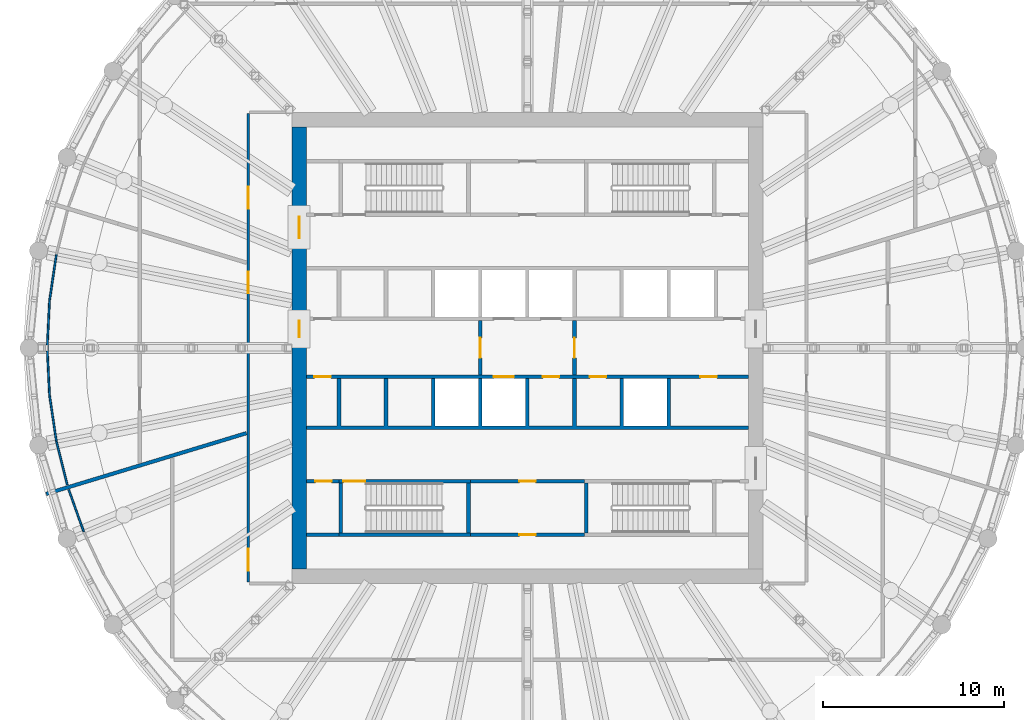
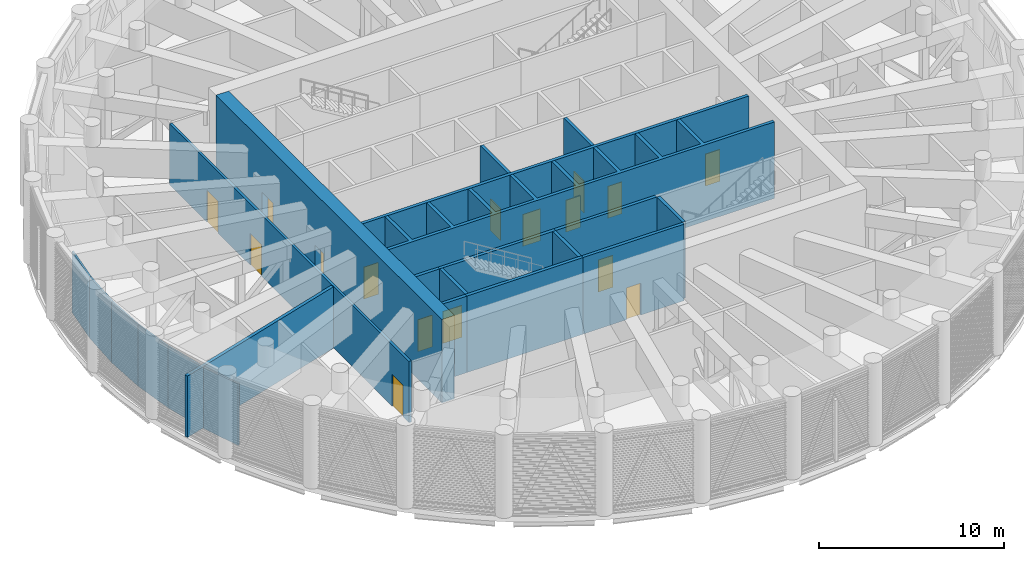
# One storey, part 9 of 24: 22 walls, 16 doors, 16 openings.
"""IFC4 building model written with IfcOpenShell, lengths in metres."""

from ifc_helpers import new_model, si_unit, direction, frame, frame_2d, origin, place, context, subcontext, project, spatial, polyline, rectangle, outline, extrude, material, layer, layer_set, type_object, element, fill, save


model = new_model("IFC4")

# Units and contexts
model_context = context("Model", 3, precision=1e-05, world=origin(), true_north=direction((0.0, 1.0)))
body_context = subcontext(model_context, "Body", "Model", "MODEL_VIEW")
ifc_project = project(units=[si_unit("LENGTHUNIT", "METRE"), si_unit("AREAUNIT", "SQUARE_METRE"), si_unit("VOLUMEUNIT", "CUBIC_METRE"), si_unit("PLANEANGLEUNIT", "RADIAN"), si_unit("MASSUNIT", "GRAM", prefix="KILO")], contexts=[model_context])

# Site, building, storey
site_placement = place(None, origin())
site = spatial("IfcSite", under=ifc_project, at=site_placement, CompositionType="ELEMENT")
building_placement = place(site_placement, origin())
building = spatial("IfcBuilding", under=site, at=building_placement, Name="Corvane Civic Tower", CompositionType="ELEMENT")
storey_placement = place(building_placement, frame((0.0, 0.0, 257.5)))
storey = spatial("IfcBuildingStorey", under=building, at=storey_placement, Name="L61", CompositionType="ELEMENT", Elevation=257.5)

# Wall, openings, doors
ifc_material_1 = material(Name="Concrete C50/60", Category="concrete")
ifc_layer_1 = layer(ifc_material_1, 0.800048828125)
ifc_layer_set_1 = layer_set([ifc_layer_1], Name="Concrete C50/60")
wall_type_1 = type_object("IfcWallType", Name="CORE WALL 800 C50/60", PredefinedType="SHEAR", material=ifc_layer_set_1)
wall_1_placement = place(storey_placement, frame((-12.60009765625, -12.199951171875, 0.0), z_axis=(0.0, 0.0, 1.0), x_axis=(0.0, 1.0, 0.0)))
wall_1 = element("IfcWall", 1, at=wall_1_placement, inside=storey, type_object=wall_type_1, Name="W-L61-core-W", PredefinedType="SHEAR", context=body_context, shape_type="SweptSolid", body=[
    extrude(rectangle(XDim=24.39990234375, YDim=0.800048828125, at=frame_2d((12.199951171875, 0.0))), origin(), (0.0, 0.0, 1.0), 5.5),
])
opening_1_placement = place(wall_1_placement, frame((12.800048828125, 0.0, 0.0)))
opening_1 = element("IfcOpeningElement", 2, at=opening_1_placement, cuts=wall_1, Name="Opening L61.C21", PredefinedType="OPENING", context=body_context, shape_type="SweptSolid", body=[
    extrude(rectangle(XDim=0.89990234375, YDim=2.10009765625, at=frame_2d((0.449951171875, 1.050048828125))), frame((0.0, 0.409912109375, 0.0), z_axis=(0.0, -1.0, 0.0), x_axis=(1.0, 0.0, 0.0)), (0.0, 0.0, 1.0), 0.820068359375),
])
opening_2_placement = place(wall_1_placement, frame((18.25, 0.0, 0.0)))
opening_2 = element("IfcOpeningElement", 3, at=opening_2_placement, cuts=wall_1, Name="Opening L61.C23", PredefinedType="OPENING", context=body_context, shape_type="SweptSolid", body=[
    extrude(rectangle(XDim=1.199951171875, YDim=2.10009765625, at=frame_2d((0.60009765625, 1.050048828125))), frame((0.0, 0.409912109375, 0.0), z_axis=(0.0, -1.0, 0.0), x_axis=(1.0, 0.0, 0.0)), (0.0, 0.0, 1.0), 0.820068359375),
])
ifc_material_2 = material(Name="Steel fire door leaf", Category="steel")
door_type_1 = type_object("IfcDoorType", Name="CR-DOOR-900", OperationType="SINGLE_SWING_LEFT", PredefinedType="DOOR", material=ifc_material_2)
door_1_placement = place(opening_1_placement, origin())
door_1 = element("IfcDoor", 4, at=door_1_placement, inside=storey, type_object=door_type_1, Name="L61 door", OperationType="SINGLE_SWING_LEFT", OverallHeight=2.10009765625, OverallWidth=0.89990234375, PredefinedType="DOOR", context=body_context, shape_type="SweptSolid", body=[
    extrude(rectangle(XDim=0.89990234375, YDim=2.10009765625, at=frame_2d((0.449951171875, 1.050048828125))), frame((0.0, 0.02490234375, 0.0), z_axis=(0.0, -1.0, 0.0), x_axis=(1.0, 0.0, 0.0)), (0.0, 0.0, 1.0), 0.050048828125),
])
fill(opening_1, door_1)
ifc_material_3 = material(Name="Steel fire door leaf", Category="steel")
door_type_2 = type_object("IfcDoorType", Name="CR-DOOR-CORE-1800", OperationType="DOUBLE_DOOR_SINGLE_SWING", PredefinedType="DOOR", material=ifc_material_3)
door_2_placement = place(opening_2_placement, origin())
door_2 = element("IfcDoor", 5, at=door_2_placement, inside=storey, type_object=door_type_2, Name="L61 door", OperationType="DOUBLE_DOOR_SINGLE_SWING", OverallHeight=2.10009765625, OverallWidth=1.199951171875, PredefinedType="DOOR", context=body_context, shape_type="SweptSolid", body=[
    extrude(rectangle(XDim=1.199951171875, YDim=2.10009765625, at=frame_2d((0.60009765625, 1.050048828125))), frame((0.0, 0.02490234375, 0.0), z_axis=(0.0, -1.0, 0.0), x_axis=(1.0, 0.0, 0.0)), (0.0, 0.0, 1.0), 0.050048828125),
])
fill(opening_2, door_2)

# Wall, opening, door
ifc_material_4 = material(Name="Concrete C30/37", Category="concrete")
ifc_layer_2 = layer(ifc_material_4, 0.199951171875)
ifc_layer_set_2 = layer_set([ifc_layer_2], Name="Concrete C30/37")
wall_type_2 = type_object("IfcWallType", Name="CR-WALL-200", PredefinedType="PARTITIONING", material=ifc_layer_set_2)
wall_2_placement = place(storey_placement, frame((-3.14990234375, -10.300048828125, 0.0), z_axis=(0.0, 0.0, 1.0), x_axis=(1.0, 0.0, 0.0)))
wall_2 = element("IfcWall", 6, at=wall_2_placement, inside=storey, type_object=wall_type_2, Name="L61 partition wall", PredefinedType="PARTITIONING", context=body_context, shape_type="SweptSolid", body=[
    extrude(rectangle(XDim=6.2998046875, YDim=0.199951171875, at=frame_2d((3.14990234375, 0.0))), origin(), (0.0, 0.0, 1.0), 5.050048828125),
])
opening_3_placement = place(wall_2_placement, frame((2.699951171875, 0.0, 0.0)))
opening_3 = element("IfcOpeningElement", 7, at=opening_3_placement, cuts=wall_2, Name="Opening L61.C10", PredefinedType="OPENING", context=body_context, shape_type="SweptSolid", body=[
    extrude(rectangle(XDim=0.89990234375, YDim=2.10009765625, at=frame_2d((0.449951171875, 1.050048828125))), frame((0.0, 0.10986328125, 0.0), z_axis=(0.0, -1.0, 0.0), x_axis=(1.0, 0.0, 0.0)), (0.0, 0.0, 1.0), 0.219970703125),
])
door_3_placement = place(opening_3_placement, origin())
door_3 = element("IfcDoor", 8, at=door_3_placement, inside=storey, type_object=door_type_1, Name="L61 door", OperationType="SINGLE_SWING_LEFT", OverallHeight=2.10009765625, OverallWidth=0.89990234375, PredefinedType="DOOR", context=body_context, shape_type="SweptSolid", body=[
    extrude(rectangle(XDim=0.89990234375, YDim=2.10009765625, at=frame_2d((0.449951171875, 1.050048828125))), frame((0.0, 0.02490234375, 0.0), z_axis=(0.0, -1.0, 0.0), x_axis=(1.0, 0.0, 0.0)), (0.0, 0.0, 1.0), 0.050048828125),
])
fill(opening_3, door_3)

wall_3_placement = place(storey_placement, frame((-12.199951171875, -7.35009765625, 0.0), z_axis=(0.0, 0.0, 1.0), x_axis=(1.0, 0.0, 0.0)))
wall_3 = element("IfcWall", 9, at=wall_3_placement, inside=storey, type_object=wall_type_2, Name="L61 core partition wall", PredefinedType="PARTITIONING", context=body_context, shape_type="SweptSolid", body=[
    extrude(rectangle(XDim=1.800048828125, YDim=0.199951171875, at=frame_2d((0.89990234375, 0.0))), origin(), (0.0, 0.0, 1.0), 5.050048828125),
])
opening_4_placement = place(wall_3_placement, frame((0.5, 0.0, 0.0)))
opening_4 = element("IfcOpeningElement", 10, at=opening_4_placement, cuts=wall_3, Name="Opening L61.C12", PredefinedType="OPENING", context=body_context, shape_type="SweptSolid", body=[
    extrude(rectangle(XDim=0.89990234375, YDim=2.10009765625, at=frame_2d((0.449951171875, 1.050048828125))), frame((0.0, 0.10986328125, 0.0), z_axis=(0.0, -1.0, 0.0), x_axis=(1.0, 0.0, 0.0)), (0.0, 0.0, 1.0), 0.219970703125),
])
door_4_placement = place(opening_4_placement, origin())
door_4 = element("IfcDoor", 11, at=door_4_placement, inside=storey, type_object=door_type_1, Name="L61 door", OperationType="SINGLE_SWING_LEFT", OverallHeight=2.10009765625, OverallWidth=0.89990234375, PredefinedType="DOOR", context=body_context, shape_type="SweptSolid", body=[
    extrude(rectangle(XDim=0.89990234375, YDim=2.10009765625, at=frame_2d((0.449951171875, 1.050048828125))), frame((0.0, 0.02490234375, 0.0), z_axis=(0.0, -1.0, 0.0), x_axis=(1.0, 0.0, 0.0)), (0.0, 0.0, 1.0), 0.050048828125),
])
fill(opening_4, door_4)

wall_4_placement = place(storey_placement, frame((-3.14990234375, -7.35009765625, 0.0), z_axis=(0.0, 0.0, 1.0), x_axis=(1.0, 0.0, 0.0)))
wall_4 = element("IfcWall", 12, at=wall_4_placement, inside=storey, type_object=wall_type_2, Name="L61 core partition wall", PredefinedType="PARTITIONING", context=body_context, shape_type="SweptSolid", body=[
    extrude(rectangle(XDim=6.2998046875, YDim=0.199951171875, at=frame_2d((3.14990234375, 0.0))), origin(), (0.0, 0.0, 1.0), 5.050048828125),
])
opening_5_placement = place(wall_4_placement, frame((2.699951171875, 0.0, 0.0)))
opening_5 = element("IfcOpeningElement", 13, at=opening_5_placement, cuts=wall_4, Name="Opening L61.C08", PredefinedType="OPENING", context=body_context, shape_type="SweptSolid", body=[
    extrude(rectangle(XDim=0.89990234375, YDim=2.10009765625, at=frame_2d((0.449951171875, 1.050048828125))), frame((0.0, 0.10986328125, 0.0), z_axis=(0.0, -1.0, 0.0), x_axis=(1.0, 0.0, 0.0)), (0.0, 0.0, 1.0), 0.219970703125),
])
door_5_placement = place(opening_5_placement, origin())
door_5 = element("IfcDoor", 14, at=door_5_placement, inside=storey, type_object=door_type_1, Name="L61 door", OperationType="SINGLE_SWING_LEFT", OverallHeight=2.10009765625, OverallWidth=0.89990234375, PredefinedType="DOOR", context=body_context, shape_type="SweptSolid", body=[
    extrude(rectangle(XDim=0.89990234375, YDim=2.10009765625, at=frame_2d((0.449951171875, 1.050048828125))), frame((0.0, 0.02490234375, 0.0), z_axis=(0.0, -1.0, 0.0), x_axis=(1.0, 0.0, 0.0)), (0.0, 0.0, 1.0), 0.050048828125),
])
fill(opening_5, door_5)

# Wall, openings, doors
wall_5_placement = place(storey_placement, frame((-12.199951171875, -1.60009765625, 0.0), z_axis=(0.0, 0.0, 1.0), x_axis=(1.0, 0.0, 0.0)))
wall_5 = element("IfcWall", 15, at=wall_5_placement, inside=storey, type_object=wall_type_2, Name="L61 lift shaft wall", PredefinedType="PARTITIONING", context=body_context, shape_type="SweptSolid", body=[
    extrude(rectangle(XDim=24.39990234375, YDim=0.199951171875, at=frame_2d((12.199951171875, 0.0))), origin(), (0.0, 0.0, 1.0), 5.050048828125),
])
opening_6_placement = place(wall_5_placement, frame((10.35009765625, 0.0, 0.0)))
opening_6 = element("IfcOpeningElement", 16, at=opening_6_placement, cuts=wall_5, Name="Opening LD", PredefinedType="OPENING", context=body_context, shape_type="SweptSolid", body=[
    extrude(rectangle(XDim=1.10009765625, YDim=2.10009765625, at=frame_2d((0.550048828125, 1.050048828125))), frame((0.0, 0.10986328125, 0.0), z_axis=(0.0, -1.0, 0.0), x_axis=(1.0, 0.0, 0.0)), (0.0, 0.0, 1.0), 0.219970703125),
])
opening_7_placement = place(wall_5_placement, frame((13.050048828125, 0.0, 0.0)))
opening_7 = element("IfcOpeningElement", 17, at=opening_7_placement, cuts=wall_5, Name="Opening L61.C03", PredefinedType="OPENING", context=body_context, shape_type="SweptSolid", body=[
    extrude(rectangle(XDim=0.89990234375, YDim=2.10009765625, at=frame_2d((0.449951171875, 1.050048828125))), frame((0.0, 0.10986328125, 0.0), z_axis=(0.0, -1.0, 0.0), x_axis=(1.0, 0.0, 0.0)), (0.0, 0.0, 1.0), 0.219970703125),
])
opening_8_placement = place(wall_5_placement, frame((0.449951171875, 0.0, 0.0)))
opening_8 = element("IfcOpeningElement", 18, at=opening_8_placement, cuts=wall_5, Name="Opening L61.C04", PredefinedType="OPENING", context=body_context, shape_type="SweptSolid", body=[
    extrude(rectangle(XDim=0.89990234375, YDim=2.10009765625, at=frame_2d((0.449951171875, 1.050048828125))), frame((0.0, 0.10986328125, 0.0), z_axis=(0.0, -1.0, 0.0), x_axis=(1.0, 0.0, 0.0)), (0.0, 0.0, 1.0), 0.219970703125),
])
opening_9_placement = place(wall_5_placement, frame((15.64990234375, 0.0, 0.0)))
opening_9 = element("IfcOpeningElement", 19, at=opening_9_placement, cuts=wall_5, Name="Opening L61.C05", PredefinedType="OPENING", context=body_context, shape_type="SweptSolid", body=[
    extrude(rectangle(XDim=0.89990234375, YDim=2.10009765625, at=frame_2d((0.449951171875, 1.050048828125))), frame((0.0, 0.10986328125, 0.0), z_axis=(0.0, -1.0, 0.0), x_axis=(1.0, 0.0, 0.0)), (0.0, 0.0, 1.0), 0.219970703125),
])
opening_10_placement = place(wall_5_placement, frame((21.75, 0.0, 0.0)))
opening_10 = element("IfcOpeningElement", 20, at=opening_10_placement, cuts=wall_5, Name="Opening L61.C06", PredefinedType="OPENING", context=body_context, shape_type="SweptSolid", body=[
    extrude(rectangle(XDim=0.89990234375, YDim=2.10009765625, at=frame_2d((0.449951171875, 1.050048828125))), frame((0.0, 0.10986328125, 0.0), z_axis=(0.0, -1.0, 0.0), x_axis=(1.0, 0.0, 0.0)), (0.0, 0.0, 1.0), 0.219970703125),
])
door_6_placement = place(opening_7_placement, origin())
door_6 = element("IfcDoor", 21, at=door_6_placement, inside=storey, type_object=door_type_1, Name="L61 door", OperationType="SINGLE_SWING_LEFT", OverallHeight=2.10009765625, OverallWidth=0.89990234375, PredefinedType="DOOR", context=body_context, shape_type="SweptSolid", body=[
    extrude(rectangle(XDim=0.89990234375, YDim=2.10009765625, at=frame_2d((0.449951171875, 1.050048828125))), frame((0.0, 0.02490234375, 0.0), z_axis=(0.0, -1.0, 0.0), x_axis=(1.0, 0.0, 0.0)), (0.0, 0.0, 1.0), 0.050048828125),
])
fill(opening_7, door_6)
door_7_placement = place(opening_8_placement, origin())
door_7 = element("IfcDoor", 22, at=door_7_placement, inside=storey, type_object=door_type_1, Name="L61 door", OperationType="SINGLE_SWING_LEFT", OverallHeight=2.10009765625, OverallWidth=0.89990234375, PredefinedType="DOOR", context=body_context, shape_type="SweptSolid", body=[
    extrude(rectangle(XDim=0.89990234375, YDim=2.10009765625, at=frame_2d((0.449951171875, 1.050048828125))), frame((0.0, 0.02490234375, 0.0), z_axis=(0.0, -1.0, 0.0), x_axis=(1.0, 0.0, 0.0)), (0.0, 0.0, 1.0), 0.050048828125),
])
fill(opening_8, door_7)
door_8_placement = place(opening_9_placement, origin())
door_8 = element("IfcDoor", 23, at=door_8_placement, inside=storey, type_object=door_type_1, Name="L61 door", OperationType="SINGLE_SWING_LEFT", OverallHeight=2.10009765625, OverallWidth=0.89990234375, PredefinedType="DOOR", context=body_context, shape_type="SweptSolid", body=[
    extrude(rectangle(XDim=0.89990234375, YDim=2.10009765625, at=frame_2d((0.449951171875, 1.050048828125))), frame((0.0, 0.02490234375, 0.0), z_axis=(0.0, -1.0, 0.0), x_axis=(1.0, 0.0, 0.0)), (0.0, 0.0, 1.0), 0.050048828125),
])
fill(opening_9, door_8)
door_9_placement = place(opening_10_placement, origin())
door_9 = element("IfcDoor", 24, at=door_9_placement, inside=storey, type_object=door_type_1, Name="L61 door", OperationType="SINGLE_SWING_LEFT", OverallHeight=2.10009765625, OverallWidth=0.89990234375, PredefinedType="DOOR", context=body_context, shape_type="SweptSolid", body=[
    extrude(rectangle(XDim=0.89990234375, YDim=2.10009765625, at=frame_2d((0.449951171875, 1.050048828125))), frame((0.0, 0.02490234375, 0.0), z_axis=(0.0, -1.0, 0.0), x_axis=(1.0, 0.0, 0.0)), (0.0, 0.0, 1.0), 0.050048828125),
])
fill(opening_10, door_9)
ifc_material_5 = material(Name="Stainless steel 316 door leaves", Category="steel")
door_type_3 = type_object("IfcDoorType", Name="LD", OperationType="DOUBLE_DOOR_SLIDING", PredefinedType="DOOR", material=ifc_material_5)
door_10_placement = place(opening_6_placement, origin())
door_10 = element("IfcDoor", 25, at=door_10_placement, inside=storey, type_object=door_type_3, Name="L61 landing door", OperationType="DOUBLE_DOOR_SLIDING", OverallHeight=2.10009765625, OverallWidth=1.10009765625, PredefinedType="DOOR", context=body_context, shape_type="SweptSolid", body=[
    extrude(rectangle(XDim=1.10009765625, YDim=2.10009765625, at=frame_2d((0.550048828125, 1.050048828125))), frame((0.0, 0.02490234375, 0.0), z_axis=(0.0, -1.0, 0.0), x_axis=(1.0, 0.0, 0.0)), (0.0, 0.0, 1.0), 0.050048828125),
])
fill(opening_6, door_10)

# Wall, opening, door
wall_6_placement = place(storey_placement, frame((-2.60009765625, -1.5, 0.0), z_axis=(0.0, 0.0, 1.0), x_axis=(0.0, 1.0, 0.0)))
wall_6 = element("IfcWall", 26, at=wall_6_placement, inside=storey, type_object=wall_type_2, Name="L61 firefighting lobby wall", PredefinedType="PARTITIONING", context=body_context, shape_type="SweptSolid", body=[
    extrude(rectangle(XDim=3.0, YDim=0.199951171875, at=frame_2d((1.5, 0.0))), origin(), (0.0, 0.0, 1.0), 5.050048828125),
])
opening_11_placement = place(wall_6_placement, frame((0.949951171875, 0.0, 0.0)))
opening_11 = element("IfcOpeningElement", 27, at=opening_11_placement, cuts=wall_6, Name="Opening L61.C19", PredefinedType="OPENING", context=body_context, shape_type="SweptSolid", body=[
    extrude(rectangle(XDim=1.10009765625, YDim=2.10009765625, at=frame_2d((0.550048828125, 1.050048828125))), frame((0.0, 0.10986328125, 0.0), z_axis=(0.0, -1.0, 0.0), x_axis=(1.0, 0.0, 0.0)), (0.0, 0.0, 1.0), 0.219970703125),
])
ifc_material_6 = material(Name="Steel fire door leaf", Category="steel")
door_type_4 = type_object("IfcDoorType", Name="CR-DOOR-FFL-1100", OperationType="SINGLE_SWING_LEFT", PredefinedType="DOOR", material=ifc_material_6)
door_11_placement = place(opening_11_placement, origin())
door_11 = element("IfcDoor", 28, at=door_11_placement, inside=storey, type_object=door_type_4, Name="L61 lobby door", OperationType="SINGLE_SWING_LEFT", OverallHeight=2.10009765625, OverallWidth=1.10009765625, PredefinedType="DOOR", context=body_context, shape_type="SweptSolid", body=[
    extrude(rectangle(XDim=1.10009765625, YDim=2.10009765625, at=frame_2d((0.550048828125, 1.050048828125))), frame((0.0, 0.02490234375, 0.0), z_axis=(0.0, -1.0, 0.0), x_axis=(1.0, 0.0, 0.0)), (0.0, 0.0, 1.0), 0.050048828125),
])
fill(opening_11, door_11)

wall_7_placement = place(storey_placement, frame((2.60009765625, -1.5, 0.0), z_axis=(0.0, 0.0, 1.0), x_axis=(0.0, 1.0, 0.0)))
wall_7 = element("IfcWall", 29, at=wall_7_placement, inside=storey, type_object=wall_type_2, Name="L61 firefighting lobby wall", PredefinedType="PARTITIONING", context=body_context, shape_type="SweptSolid", body=[
    extrude(rectangle(XDim=3.0, YDim=0.199951171875, at=frame_2d((1.5, 0.0))), origin(), (0.0, 0.0, 1.0), 5.050048828125),
])
opening_12_placement = place(wall_7_placement, frame((0.949951171875, 0.0, 0.0)))
opening_12 = element("IfcOpeningElement", 30, at=opening_12_placement, cuts=wall_7, Name="Opening L61.C20", PredefinedType="OPENING", context=body_context, shape_type="SweptSolid", body=[
    extrude(rectangle(XDim=1.10009765625, YDim=2.10009765625, at=frame_2d((0.550048828125, 1.050048828125))), frame((0.0, 0.10986328125, 0.0), z_axis=(0.0, -1.0, 0.0), x_axis=(1.0, 0.0, 0.0)), (0.0, 0.0, 1.0), 0.219970703125),
])
door_12_placement = place(opening_12_placement, origin())
door_12 = element("IfcDoor", 31, at=door_12_placement, inside=storey, type_object=door_type_4, Name="L61 lobby door", OperationType="SINGLE_SWING_LEFT", OverallHeight=2.10009765625, OverallWidth=1.10009765625, PredefinedType="DOOR", context=body_context, shape_type="SweptSolid", body=[
    extrude(rectangle(XDim=1.10009765625, YDim=2.10009765625, at=frame_2d((0.550048828125, 1.050048828125))), frame((0.0, 0.02490234375, 0.0), z_axis=(0.0, -1.0, 0.0), x_axis=(1.0, 0.0, 0.0)), (0.0, 0.0, 1.0), 0.050048828125),
])
fill(opening_12, door_12)

# Walls
wall_8_placement = place(storey_placement, origin())
element("IfcWall", 32, at=wall_8_placement, inside=storey, type_object=wall_type_2, Name="L61 core partition wall", PredefinedType="PARTITIONING", context=body_context, shape_type="SweptSolid", body=[
    extrude(outline(polyline([(-10.39990234375, -10.39990234375), (-12.199951171875, -10.39990234375), (-12.199951171875, -10.199951171875), (-10.39990234375, -10.199951171875), (-10.39990234375, -10.39990234375)])), origin(), (0.0, 0.0, 1.0), 5.050048828125),
])
wall_9_placement = place(storey_placement, origin())
element("IfcWall", 33, at=wall_9_placement, inside=storey, type_object=wall_type_2, Name="L61 core partition wall", PredefinedType="PARTITIONING", context=body_context, shape_type="SweptSolid", body=[
    extrude(outline(polyline([(-10.5, -1.699951171875), (-10.300048828125, -1.699951171875), (-10.300048828125, -4.300048828125), (-7.89990234375, -4.300048828125), (-7.89990234375, -1.699951171875), (-7.699951171875, -1.699951171875), (-7.699951171875, -4.300048828125), (-5.300048828125, -4.300048828125), (-5.300048828125, -1.699951171875), (-5.10009765625, -1.699951171875), (-5.10009765625, -4.300048828125), (-2.699951171875, -4.300048828125), (-2.699951171875, -1.699951171875), (-2.5, -1.699951171875), (-2.5, -4.300048828125), (-0.10009765625, -4.300048828125), (-0.10009765625, -1.699951171875), (0.10009765625, -1.699951171875), (0.10009765625, -4.300048828125), (2.5, -4.300048828125), (2.5, -1.699951171875), (2.699951171875, -1.699951171875), (2.699951171875, -4.300048828125), (5.10009765625, -4.300048828125), (5.10009765625, -1.699951171875), (5.300048828125, -1.699951171875), (5.300048828125, -4.300048828125), (7.699951171875, -4.300048828125), (7.699951171875, -1.699951171875), (7.89990234375, -1.699951171875), (7.89990234375, -4.300048828125), (12.199951171875, -4.300048828125), (12.199951171875, -4.5), (-12.199951171875, -4.5), (-12.199951171875, -4.300048828125), (-10.5, -4.300048828125), (-10.5, -1.699951171875)])), origin(), (0.0, 0.0, 1.0), 5.050048828125),
])
ifc_material_7 = material(Name="Plasterboard")
ifc_layer_3 = layer(ifc_material_7, 0.10009765625)
ifc_layer_set_3 = layer_set([ifc_layer_3], Name="Plasterboard")
wall_type_3 = type_object("IfcWallType", Name="Partition 100 plasterboard on studs", PredefinedType="PARTITIONING", material=ifc_layer_set_3)
wall_10_placement = place(storey_placement, frame((-26.498779296875, 0.0, 0.0), z_axis=(0.0, 0.0, 1.0), x_axis=(0.049099464849, -0.99879389393, 0.0)))
element("IfcWall", 34, at=wall_10_placement, inside=storey, type_object=wall_type_3, Name="Partition L61.025", PredefinedType="PARTITIONING", context=body_context, shape_type="SweptSolid", body=[
    extrude(rectangle(XDim=2.6005859375, YDim=0.10009765625, at=frame_2d((1.30029296875, 0.0))), origin(), (0.0, 0.0, 1.0), 4.050048828125),
])
wall_11_placement = place(storey_placement, frame((-26.37109375, -2.597412109375, 0.0), z_axis=(0.0, 0.0, 1.0), x_axis=(0.146650738266, -0.989188334427, 0.0)))
element("IfcWall", 35, at=wall_11_placement, inside=storey, type_object=wall_type_3, Name="Partition L61.027", PredefinedType="PARTITIONING", context=body_context, shape_type="SweptSolid", body=[
    extrude(rectangle(XDim=2.600341796875, YDim=0.10009765625, at=frame_2d((1.30029296875, 0.0))), origin(), (0.0, 0.0, 1.0), 4.050048828125),
])
for number, where, z_axis, x_axis, name in (
    (36, (-25.98974609375, -5.169677734375, 0.0), (0.0, 0.0, 1.0), (0.243025930525, -0.970019792114, 0.0), "Partition L61.029"),
    (37, (-25.310546875, -7.82421875, 0.0), (0.0, 0.0, 1.0), (0.336902109308, -0.941539679856, 0.0), "Partition L61.031"),
):
    element("IfcWall", number, at=place(storey_placement, frame(where, z_axis=z_axis, x_axis=x_axis)), inside=storey, type_object=wall_type_3, Name=name, PredefinedType="PARTITIONING", context=body_context, shape_type="SweptSolid", body=[
        extrude(rectangle(XDim=2.460205078125, YDim=0.10009765625, at=frame_2d((1.22998046875, 0.0))), origin(), (0.0, 0.0, 1.0), 4.050048828125),
    ])
wall_12_placement = place(storey_placement, frame((-26.37109375, 2.597412109375, 0.0), z_axis=(0.0, 0.0, 1.0), x_axis=(0.146650738266, 0.989188334427, 0.0)))
element("IfcWall", 38, at=wall_12_placement, inside=storey, type_object=wall_type_3, Name="Partition L61.088", PredefinedType="PARTITIONING", context=body_context, shape_type="SweptSolid", body=[
    extrude(rectangle(XDim=2.600341796875, YDim=0.10009765625, at=frame_2d((1.30029296875, 0.0))), origin(), (0.0, 0.0, 1.0), 4.050048828125),
])
wall_13_placement = place(storey_placement, frame((-26.498779296875, 0.0, 0.0), z_axis=(0.0, 0.0, 1.0), x_axis=(0.049099464849, 0.99879389393, 0.0)))
element("IfcWall", 39, at=wall_13_placement, inside=storey, type_object=wall_type_3, Name="Partition L61.090", PredefinedType="PARTITIONING", context=body_context, shape_type="SweptSolid", body=[
    extrude(rectangle(XDim=2.6005859375, YDim=0.10009765625, at=frame_2d((1.30029296875, 0.0))), origin(), (0.0, 0.0, 1.0), 4.050048828125),
])
ifc_material_8 = material(Name="Gypsum fibreboard")
ifc_layer_4 = layer(ifc_material_8, 0.199951171875)
ifc_layer_set_4 = layer_set([ifc_layer_4], Name="Gypsum fibreboard")
wall_type_4 = type_object("IfcWallType", Name="Plant and refuge wall 200 EI 120", PredefinedType="PARTITIONING", material=ifc_layer_set_4)
wall_14_placement = place(storey_placement, frame((-26.555419921875, -8.055419921875, 0.0), z_axis=(0.0, 0.0, 1.0), x_axis=(0.956943825773, 0.290273171884, 0.0)))
element("IfcWall", 40, at=wall_14_placement, inside=storey, type_object=wall_type_4, Name="Partition L61.010", PredefinedType="PARTITIONING", context=body_context, shape_type="SweptSolid", body=[
    extrude(rectangle(XDim=11.548828125, YDim=0.199951171875, at=frame_2d((5.7744140625, 0.0))), origin(), (0.0, 0.0, 1.0), 4.050048828125),
])

# Wall, opening, door
ifc_material_9 = material(Name="Concrete C50/60", Category="concrete")
ifc_layer_5 = layer(ifc_material_9, 0.199951171875)
ifc_layer_set_5 = layer_set([ifc_layer_5], Name="Concrete C50/60")
wall_type_5 = type_object("IfcWallType", Name="ST-WALL-200", PredefinedType="SHEAR", material=ifc_layer_set_5)
wall_15_placement = place(storey_placement, frame((-10.39990234375, -7.35009765625, 0.0), z_axis=(0.0, 0.0, 1.0), x_axis=(1.0, 0.0, 0.0)))
wall_15 = element("IfcWall", 41, at=wall_15_placement, inside=storey, type_object=wall_type_5, Name="L61 stair enclosure wall", PredefinedType="SHEAR", context=body_context, shape_type="SweptSolid", body=[
    extrude(rectangle(XDim=7.25, YDim=0.199951171875, at=frame_2d((3.625, 0.0))), origin(), (0.0, 0.0, 1.0), 5.050048828125),
])
opening_13_placement = place(wall_15_placement, frame((0.25, 0.0, 0.0)))
opening_13 = element("IfcOpeningElement", 42, at=opening_13_placement, cuts=wall_15, Name="Opening L61.C18", PredefinedType="OPENING", context=body_context, shape_type="SweptSolid", body=[
    extrude(rectangle(XDim=1.199951171875, YDim=2.10009765625, at=frame_2d((0.60009765625, 1.050048828125))), frame((0.0, 0.10986328125, 0.0), z_axis=(0.0, -1.0, 0.0), x_axis=(1.0, 0.0, 0.0)), (0.0, 0.0, 1.0), 0.219970703125),
])
ifc_material_10 = material(Name="Steel fire door leaf", Category="steel")
door_type_5 = type_object("IfcDoorType", Name="ST-DOOR-1200", OperationType="SINGLE_SWING_RIGHT", PredefinedType="DOOR", material=ifc_material_10)
door_13_placement = place(opening_13_placement, origin())
door_13 = element("IfcDoor", 43, at=door_13_placement, inside=storey, type_object=door_type_5, Name="L61 stair door", OperationType="SINGLE_SWING_RIGHT", OverallHeight=2.10009765625, OverallWidth=1.199951171875, PredefinedType="DOOR", context=body_context, shape_type="SweptSolid", body=[
    extrude(rectangle(XDim=1.199951171875, YDim=2.10009765625, at=frame_2d((0.60009765625, 1.050048828125))), frame((0.0, 0.02490234375, 0.0), z_axis=(0.0, -1.0, 0.0), x_axis=(1.0, 0.0, 0.0)), (0.0, 0.0, 1.0), 0.050048828125),
])
fill(opening_13, door_13)

# Walls
wall_16_placement = place(storey_placement, origin())
element("IfcWall", 44, at=wall_16_placement, inside=storey, type_object=wall_type_5, Name="L61 stair enclosure wall", PredefinedType="SHEAR", context=body_context, shape_type="SweptSolid", body=[
    extrude(outline(polyline([(-3.14990234375, -10.199951171875), (-3.14990234375, -10.39990234375), (-10.39990234375, -10.39990234375), (-10.39990234375, -10.199951171875), (-3.14990234375, -10.199951171875)])), origin(), (0.0, 0.0, 1.0), 5.050048828125),
])
wall_17_placement = place(storey_placement, origin())
element("IfcWall", 45, at=wall_17_placement, inside=storey, type_object=wall_type_5, Name="L61 stair enclosure wall", PredefinedType="SHEAR", context=body_context, shape_type="SweptSolid", body=[
    extrude(outline(polyline([(-3.14990234375, -7.449951171875), (-3.14990234375, -10.199951171875), (-3.35009765625, -10.199951171875), (-3.35009765625, -7.449951171875), (-3.14990234375, -7.449951171875)])), origin(), (0.0, 0.0, 1.0), 5.050048828125),
])
wall_18_placement = place(storey_placement, origin())
element("IfcWall", 46, at=wall_18_placement, inside=storey, type_object=wall_type_5, Name="L61 stair enclosure wall", PredefinedType="SHEAR", context=body_context, shape_type="SweptSolid", body=[
    extrude(outline(polyline([(3.35009765625, -7.449951171875), (3.35009765625, -10.199951171875), (3.14990234375, -10.199951171875), (3.14990234375, -7.449951171875), (3.35009765625, -7.449951171875)])), origin(), (0.0, 0.0, 1.0), 5.050048828125),
])
wall_19_placement = place(storey_placement, origin())
element("IfcWall", 47, at=wall_19_placement, inside=storey, type_object=wall_type_5, Name="L61 stair enclosure wall", PredefinedType="SHEAR", context=body_context, shape_type="SweptSolid", body=[
    extrude(outline(polyline([(-10.199951171875, -7.449951171875), (-10.199951171875, -10.199951171875), (-10.39990234375, -10.199951171875), (-10.39990234375, -7.449951171875), (-10.199951171875, -7.449951171875)])), origin(), (0.0, 0.0, 1.0), 5.050048828125),
])

# Wall, openings, doors
ifc_material_11 = material(Name="Plasterboard")
ifc_layer_6 = layer(ifc_material_11, 0.14990234375)
ifc_layer_set_6 = layer_set([ifc_layer_6], Name="Plasterboard")
wall_type_6 = type_object("IfcWallType", Name="Tenancy wall 150 EI 60", PredefinedType="PARTITIONING", material=ifc_layer_set_6)
wall_20_placement = place(storey_placement, frame((-15.39990234375, -12.925048828125, 0.0), z_axis=(0.0, 0.0, 1.0), x_axis=(0.0, 1.0, 0.0)))
wall_20 = element("IfcWall", 48, at=wall_20_placement, inside=storey, type_object=wall_type_6, Name="Partition L61.008", PredefinedType="PARTITIONING", context=body_context, shape_type="SweptSolid", body=[
    extrude(rectangle(XDim=25.85009765625, YDim=0.14990234375, at=frame_2d((12.925048828125, 0.0))), origin(), (0.0, 0.0, 1.0), 4.050048828125),
])
opening_14_placement = place(wall_20_placement, frame((20.613037109375, 0.0, 0.0)))
opening_14 = element("IfcOpeningElement", 49, at=opening_14_placement, cuts=wall_20, Name="Opening L61.005", PredefinedType="OPENING", context=body_context, shape_type="SweptSolid", body=[
    extrude(rectangle(XDim=1.199951171875, YDim=2.10009765625, at=frame_2d((0.60009765625, 1.050048828125))), frame((0.0, 0.0849609375, 0.0), z_axis=(0.0, -1.0, 0.0), x_axis=(1.0, 0.0, 0.0)), (0.0, 0.0, 1.0), 0.169921875),
])
opening_15_placement = place(wall_20_placement, frame((0.63037109375, 0.0, 0.0)))
opening_15 = element("IfcOpeningElement", 50, at=opening_15_placement, cuts=wall_20, Name="Opening L61.010", PredefinedType="OPENING", context=body_context, shape_type="SweptSolid", body=[
    extrude(rectangle(XDim=1.199951171875, YDim=2.10009765625, at=frame_2d((0.60009765625, 1.050048828125))), frame((0.0, 0.0849609375, 0.0), z_axis=(0.0, -1.0, 0.0), x_axis=(1.0, 0.0, 0.0)), (0.0, 0.0, 1.0), 0.169921875),
])
opening_16_placement = place(wall_20_placement, frame((15.940673828125, 0.0, 0.0)))
opening_16 = element("IfcOpeningElement", 51, at=opening_16_placement, cuts=wall_20, Name="Opening L61.014", PredefinedType="OPENING", context=body_context, shape_type="SweptSolid", body=[
    extrude(rectangle(XDim=1.199951171875, YDim=2.10009765625, at=frame_2d((0.60009765625, 1.050048828125))), frame((0.0, 0.0849609375, 0.0), z_axis=(0.0, -1.0, 0.0), x_axis=(1.0, 0.0, 0.0)), (0.0, 0.0, 1.0), 0.169921875),
])
ifc_material_12 = material(Name="Steel and timber", Category="steel")
door_type_6 = type_object("IfcDoorType", Name="Fire door FD60 1200", OperationType="NOTDEFINED", PredefinedType="DOOR", material=ifc_material_12)
door_14_placement = place(opening_14_placement, origin())
door_14 = element("IfcDoor", 52, at=door_14_placement, inside=storey, type_object=door_type_6, Name="Door L61.005", OperationType="SINGLE_SWING_RIGHT", OverallHeight=2.10009765625, OverallWidth=1.199951171875, PredefinedType="DOOR", context=body_context, shape_type="SweptSolid", body=[
    extrude(rectangle(XDim=1.199951171875, YDim=2.10009765625, at=frame_2d((0.60009765625, 1.050048828125))), frame((0.0, 0.02490234375, 0.0), z_axis=(0.0, -1.0, 0.0), x_axis=(1.0, 0.0, 0.0)), (0.0, 0.0, 1.0), 0.050048828125),
])
fill(opening_14, door_14)
door_15_placement = place(opening_15_placement, origin())
door_15 = element("IfcDoor", 53, at=door_15_placement, inside=storey, type_object=door_type_6, Name="Door L61.010", OperationType="SINGLE_SWING_LEFT", OverallHeight=2.10009765625, OverallWidth=1.199951171875, PredefinedType="DOOR", context=body_context, shape_type="SweptSolid", body=[
    extrude(rectangle(XDim=1.199951171875, YDim=2.10009765625, at=frame_2d((0.60009765625, 1.050048828125))), frame((0.0, 0.02490234375, 0.0), z_axis=(0.0, -1.0, 0.0), x_axis=(1.0, 0.0, 0.0)), (0.0, 0.0, 1.0), 0.050048828125),
])
fill(opening_15, door_15)
door_16_placement = place(opening_16_placement, origin())
door_16 = element("IfcDoor", 54, at=door_16_placement, inside=storey, type_object=door_type_6, Name="Door L61.014", OperationType="SINGLE_SWING_RIGHT", OverallHeight=2.10009765625, OverallWidth=1.199951171875, PredefinedType="DOOR", context=body_context, shape_type="SweptSolid", body=[
    extrude(rectangle(XDim=1.199951171875, YDim=2.10009765625, at=frame_2d((0.60009765625, 1.050048828125))), frame((0.0, 0.02490234375, 0.0), z_axis=(0.0, -1.0, 0.0), x_axis=(1.0, 0.0, 0.0)), (0.0, 0.0, 1.0), 0.050048828125),
])
fill(opening_16, door_16)

save(model, "model.ifc")
